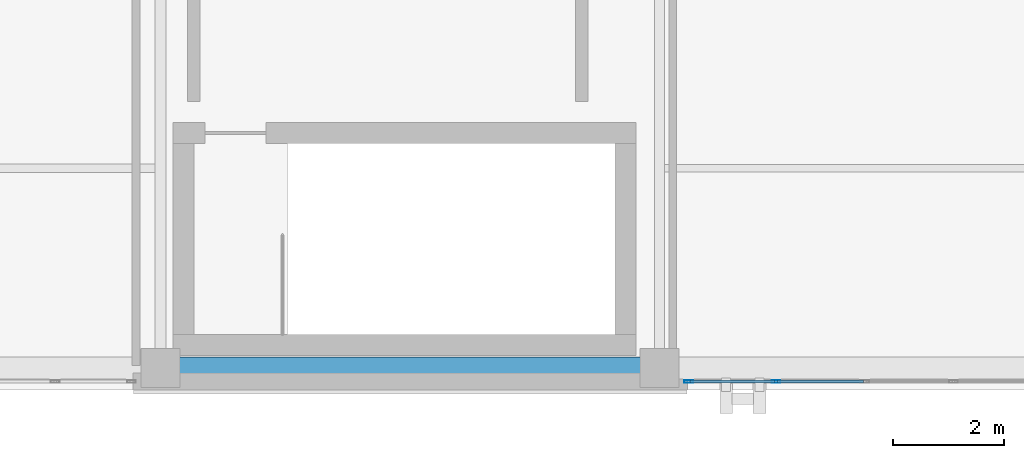
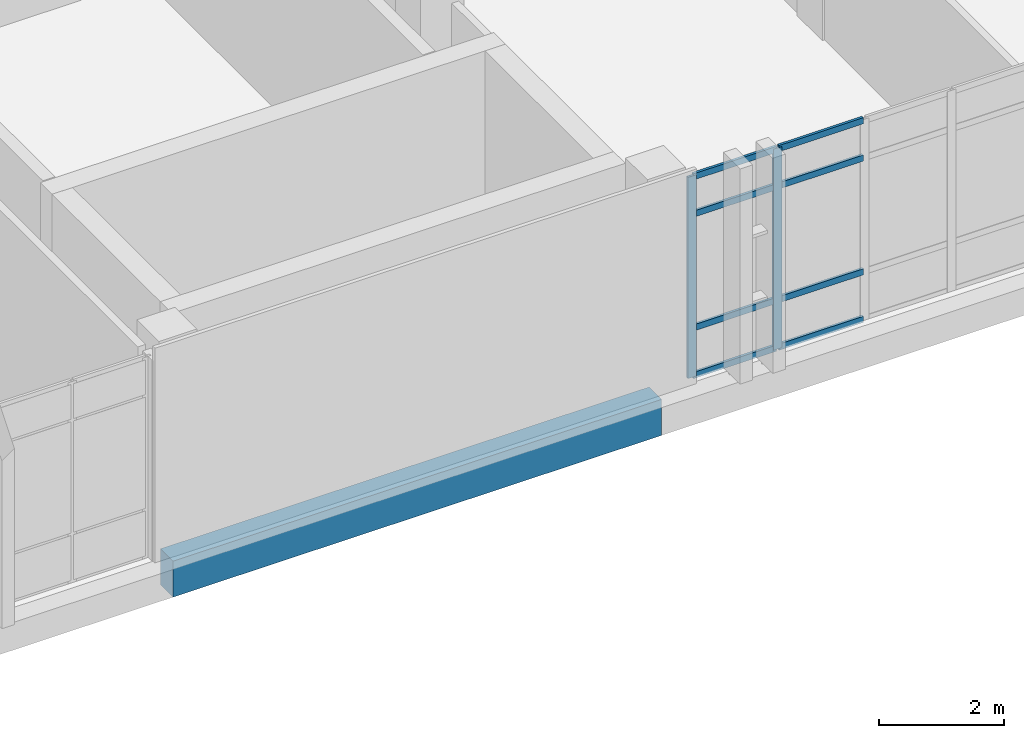
# One storey, part 51 of 193: 10 members, 1 beam, 1 element without a shape of its own.
"""IFC4 building model written with IfcOpenShell, lengths in metres."""

from ifc_helpers import new_model, si_unit, direction, frame, origin, origin_2d, place, context, subcontext, project, spatial, rectangle, hollow_rectangle, extrude, material, layer, layer_set, material_profile, profile_set, type_object, element, aggregate, save


model = new_model("IFC4")

# Units and contexts
model_context = context("Model", 3, precision=1e-05, world=origin(), true_north=direction((0.0, 1.0)))
body_context = subcontext(model_context, "Body", "Model", "MODEL_VIEW")
ifc_project = project(units=[si_unit("LENGTHUNIT", "METRE"), si_unit("AREAUNIT", "SQUARE_METRE"), si_unit("VOLUMEUNIT", "CUBIC_METRE"), si_unit("PLANEANGLEUNIT", "RADIAN"), si_unit("MASSUNIT", "GRAM", prefix="KILO")], contexts=[model_context])

# Site, building, storey
site_placement = place(None, origin())
site = spatial("IfcSite", under=ifc_project, at=site_placement, CompositionType="ELEMENT")
building_placement = place(site_placement, origin())
building = spatial("IfcBuilding", under=site, at=building_placement, Name="Qalavern Law Courts", CompositionType="ELEMENT")
storey_placement = place(building_placement, frame((0.0, 0.0, 10.199951171875)))
storey = spatial("IfcBuildingStorey", under=building, at=storey_placement, Name="L02", CompositionType="ELEMENT", Elevation=10.199951171875)

# Curtain wall, members
ifc_material_1 = material(Name="Anodised aluminium and insulated glazing", Category="aluminium")
ifc_layer = layer(ifc_material_1, 0.172119140625)
ifc_layer_set = layer_set([ifc_layer], Name="Anodised aluminium and insulated glazing")
curtain_wall_type = type_object("IfcCurtainWallType", Name="ENV-CW-COURT", PredefinedType="USERDEFINED", material=ifc_layer_set)
curtain_wall_placement = place(storey_placement, origin())
curtain_wall = element("IfcCurtainWall", 1, at=curtain_wall_placement, inside=storey, type_object=curtain_wall_type, Name="V6 unitised curtain wall L02 south 3", ObjectType="UNITISED CURTAIN WALL", PredefinedType="USERDEFINED")
ifc_material_2 = material(Name="Anodised aluminium", Category="aluminium")
ifc_material_profile_1 = material_profile(ifc_material_2, hollow_rectangle(XDim=0.048095703125, YDim=0.159912109375, WallThickness=0.00390625, at=origin_2d()), Name="ALU MULLION 48x160")
ifc_profile_set_1 = profile_set([ifc_material_profile_1], Name="Anodised aluminium")
member_type_1 = type_object("IfcMemberType", Name="ENV-CWM-48x160", PredefinedType="MULLION", material=ifc_profile_set_1)
member_1_placement = place(storey_placement, frame((127.323974609375, 1.155029296875, 0.0), z_axis=(0.0, 0.0, 1.0), x_axis=(0.0, 1.0, 0.0)))
member_1 = element("IfcMember", 2, at=member_1_placement, type_object=member_type_1, Name="CW-03 mullion 1", PredefinedType="MULLION", context=body_context, shape_type="SweptSolid", body=[
    extrude(hollow_rectangle(XDim=0.048095703125, YDim=0.159912109375, WallThickness=0.00390625, at=origin_2d()), origin(), (0.0, 0.0, 1.0), 3.9150390625),
])
member_2_placement = place(storey_placement, frame((128.89990234375, 1.155029296875, 0.0), z_axis=(0.0, 0.0, 1.0), x_axis=(0.0, 1.0, 0.0)))
member_2 = element("IfcMember", 3, at=member_2_placement, type_object=member_type_1, Name="CW-03 mullion 2", PredefinedType="MULLION", context=body_context, shape_type="SweptSolid", body=[
    extrude(hollow_rectangle(XDim=0.048095703125, YDim=0.159912109375, WallThickness=0.00390625, at=origin_2d()), origin(), (0.0, 0.0, 1.0), 3.9150390625),
])
ifc_material_profile_2 = material_profile(ifc_material_2, hollow_rectangle(XDim=0.048095703125, YDim=0.1201171875, WallThickness=0.00390625, at=origin_2d()), Name="ALU TRANSOM 48x120")
ifc_profile_set_2 = profile_set([ifc_material_profile_2], Name="Anodised aluminium")
member_type_2 = type_object("IfcMemberType", Name="ENV-CWT-48x120", PredefinedType="USERDEFINED", material=ifc_profile_set_2)
member_3_placement = place(storey_placement, frame((127.347900390625, 1.155029296875, 0.024169921875), z_axis=(1.0, 0.0, 0.0), x_axis=(0.0, 1.0, 0.0)))
member_3 = element("IfcMember", 4, at=member_3_placement, type_object=member_type_2, Name="CW-03 transom 1.1", ObjectType="TRANSOM", PredefinedType="USERDEFINED", context=body_context, shape_type="SweptSolid", body=[
    extrude(hollow_rectangle(XDim=0.048095703125, YDim=0.1201171875, WallThickness=0.00390625, at=origin_2d()), origin(), (0.0, 0.0, 1.0), 1.528076171875),
])
member_4_placement = place(storey_placement, frame((127.347900390625, 1.155029296875, 0.949951171875), z_axis=(1.0, 0.0, 0.0), x_axis=(0.0, 1.0, 0.0)))
member_4 = element("IfcMember", 5, at=member_4_placement, type_object=member_type_2, Name="CW-03 transom 1.2", ObjectType="TRANSOM", PredefinedType="USERDEFINED", context=body_context, shape_type="SweptSolid", body=[
    extrude(hollow_rectangle(XDim=0.048095703125, YDim=0.1201171875, WallThickness=0.00390625, at=origin_2d()), origin(), (0.0, 0.0, 1.0), 1.528076171875),
])
member_5_placement = place(storey_placement, frame((127.347900390625, 1.155029296875, 3.1650390625), z_axis=(1.0, 0.0, 0.0), x_axis=(0.0, 1.0, 0.0)))
member_5 = element("IfcMember", 6, at=member_5_placement, type_object=member_type_2, Name="CW-03 transom 1.3", ObjectType="TRANSOM", PredefinedType="USERDEFINED", context=body_context, shape_type="SweptSolid", body=[
    extrude(hollow_rectangle(XDim=0.048095703125, YDim=0.1201171875, WallThickness=0.00390625, at=origin_2d()), origin(), (0.0, 0.0, 1.0), 1.528076171875),
])
member_6_placement = place(storey_placement, frame((127.347900390625, 1.155029296875, 3.89111328125), z_axis=(1.0, 0.0, 0.0), x_axis=(0.0, 1.0, 0.0)))
member_6 = element("IfcMember", 7, at=member_6_placement, type_object=member_type_2, Name="CW-03 transom 1.4", ObjectType="TRANSOM", PredefinedType="USERDEFINED", context=body_context, shape_type="SweptSolid", body=[
    extrude(hollow_rectangle(XDim=0.048095703125, YDim=0.1201171875, WallThickness=0.00390625, at=origin_2d()), origin(), (0.0, 0.0, 1.0), 1.528076171875),
])
member_7_placement = place(storey_placement, frame((128.924072265625, 1.155029296875, 0.024169921875), z_axis=(1.0, 0.0, 0.0), x_axis=(0.0, 1.0, 0.0)))
member_7 = element("IfcMember", 8, at=member_7_placement, type_object=member_type_2, Name="CW-03 transom 2.1", ObjectType="TRANSOM", PredefinedType="USERDEFINED", context=body_context, shape_type="SweptSolid", body=[
    extrude(hollow_rectangle(XDim=0.048095703125, YDim=0.1201171875, WallThickness=0.00390625, at=origin_2d()), origin(), (0.0, 0.0, 1.0), 1.552001953125),
])
member_8_placement = place(storey_placement, frame((128.924072265625, 1.155029296875, 0.949951171875), z_axis=(1.0, 0.0, 0.0), x_axis=(0.0, 1.0, 0.0)))
member_8 = element("IfcMember", 9, at=member_8_placement, type_object=member_type_2, Name="CW-03 transom 2.2", ObjectType="TRANSOM", PredefinedType="USERDEFINED", context=body_context, shape_type="SweptSolid", body=[
    extrude(hollow_rectangle(XDim=0.048095703125, YDim=0.1201171875, WallThickness=0.00390625, at=origin_2d()), origin(), (0.0, 0.0, 1.0), 1.552001953125),
])
member_9_placement = place(storey_placement, frame((128.924072265625, 1.155029296875, 3.1650390625), z_axis=(1.0, 0.0, 0.0), x_axis=(0.0, 1.0, 0.0)))
member_9 = element("IfcMember", 10, at=member_9_placement, type_object=member_type_2, Name="CW-03 transom 2.3", ObjectType="TRANSOM", PredefinedType="USERDEFINED", context=body_context, shape_type="SweptSolid", body=[
    extrude(hollow_rectangle(XDim=0.048095703125, YDim=0.1201171875, WallThickness=0.00390625, at=origin_2d()), origin(), (0.0, 0.0, 1.0), 1.552001953125),
])
member_10_placement = place(storey_placement, frame((128.924072265625, 1.155029296875, 3.89111328125), z_axis=(1.0, 0.0, 0.0), x_axis=(0.0, 1.0, 0.0)))
member_10 = element("IfcMember", 11, at=member_10_placement, type_object=member_type_2, Name="CW-03 transom 2.4", ObjectType="TRANSOM", PredefinedType="USERDEFINED", context=body_context, shape_type="SweptSolid", body=[
    extrude(hollow_rectangle(XDim=0.048095703125, YDim=0.1201171875, WallThickness=0.00390625, at=origin_2d()), origin(), (0.0, 0.0, 1.0), 1.552001953125),
])
aggregate(curtain_wall, [member_1, member_2, member_3, member_4, member_5, member_6, member_7, member_8, member_9, member_10])

# Beam
ifc_material_3 = material(Name="Concrete C40/50", Category="concrete")
ifc_material_profile_3 = material_profile(ifc_material_3, rectangle(XDim=0.39990234375, YDim=0.699951171875, at=origin_2d()), Name="RC 400x700")
ifc_profile_set_3 = profile_set([ifc_material_profile_3], Name="Concrete C40/50")
beam_type = type_object("IfcBeamType", Name="STR-SP-RC400x700", PredefinedType="SPANDREL", material=ifc_profile_set_3)
beam_placement = place(storey_placement, frame((117.800048828125, 1.39990234375, -0.639892578125), z_axis=(1.0, 0.0, 0.0), x_axis=(0.0, 1.0, 0.0)))
element("IfcBeam", 12, at=beam_placement, inside=storey, type_object=beam_type, Name="V6 X-beam 1-3 L02", PredefinedType="SPANDREL", context=body_context, shape_type="SweptSolid", body=[
    extrude(rectangle(XDim=0.39990234375, YDim=0.699951171875, at=origin_2d()), origin(), (0.0, 0.0, 1.0), 9.0),
])

save(model, "model.ifc")
